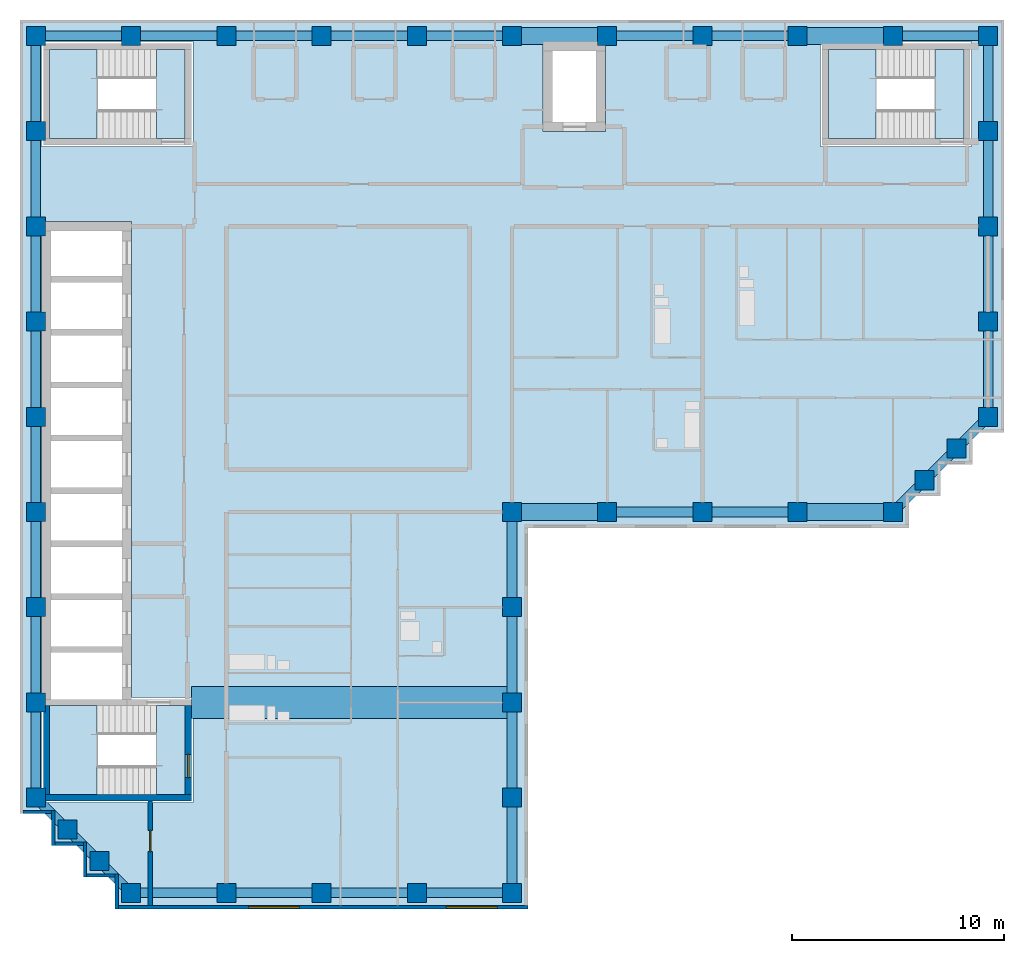
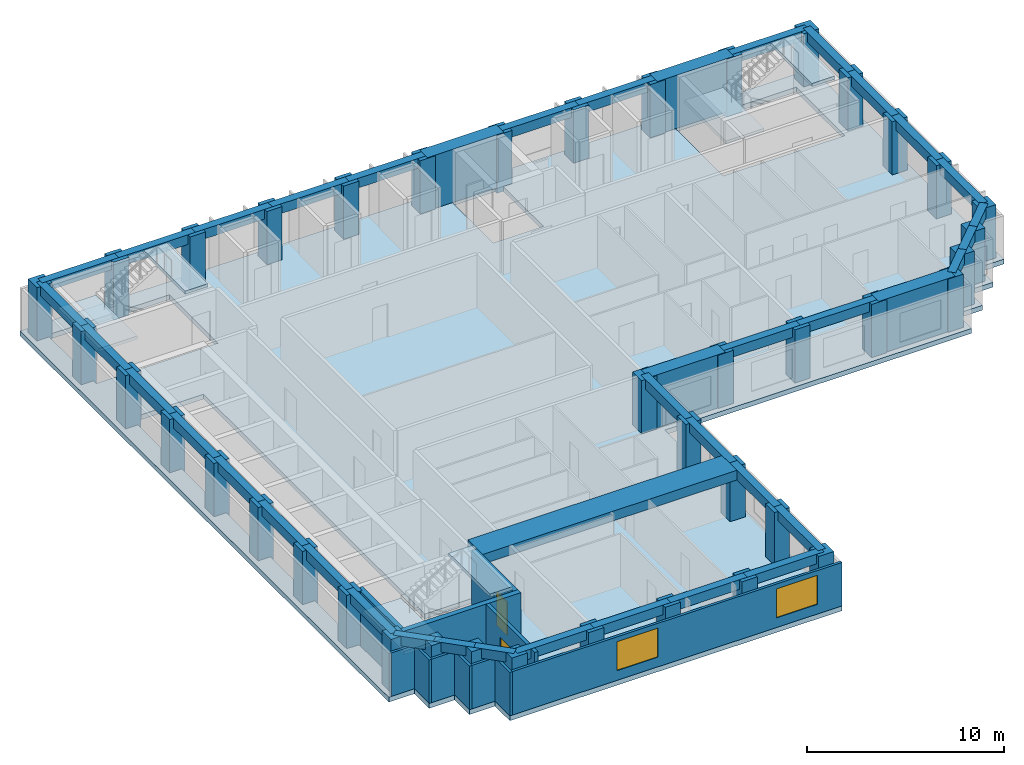
# One storey, part 1 of 8: 41 beams, 40 columns, 11 walls, 7 slabs, 2 doors, 2 windows, 4 openings, 3 elements without a shape of their own.
"""IFC4 building model written with IfcOpenShell, lengths in metres."""

from ifc_helpers import new_model, si_unit, direction, frame, frame_2d, origin, origin_2d, place, context, subcontext, project, spatial, polyline, rectangle, outline, extrude, material, layer, layer_set, material_profile, profile_set, type_object, element, fill, aggregate, save


model = new_model("IFC4")

# Units and contexts
model_context = context("Model", 3, precision=1e-05, world=origin(), true_north=direction((0.0, 1.0)))
body_context = subcontext(model_context, "Body", "Model", "MODEL_VIEW")
ifc_project = project(units=[si_unit("LENGTHUNIT", "METRE"), si_unit("AREAUNIT", "SQUARE_METRE"), si_unit("VOLUMEUNIT", "CUBIC_METRE"), si_unit("PLANEANGLEUNIT", "RADIAN"), si_unit("MASSUNIT", "GRAM", prefix="KILO")], contexts=[model_context])

# Site, building, storey
site_placement = place(None, origin())
site = spatial("IfcSite", under=ifc_project, at=site_placement, CompositionType="ELEMENT")
building_placement = place(site_placement, origin())
building = spatial("IfcBuilding", under=site, at=building_placement, Name="Firuza Court", CompositionType="ELEMENT")
storey_placement = place(building_placement, frame((0.0, 0.0, 236.60009765625)))
storey = spatial("IfcBuildingStorey", under=building, at=storey_placement, Name="L61", CompositionType="ELEMENT", Elevation=236.60009765625)

# Columns
ifc_material_1 = material(Name="Concrete C50/60", Category="concrete")
ifc_material_profile_1 = material_profile(ifc_material_1, rectangle(XDim=0.89990234375, YDim=0.89990234375, at=origin_2d()), Name="RC 900x900")
ifc_profile_set_1 = profile_set([ifc_material_profile_1], Name="Concrete C50/60")
column_type = type_object("IfcColumnType", Name="Tube column RC 900x900 C50/60", PredefinedType="COLUMN", material=ifc_profile_set_1)
for number, where, z_axis, x_axis, name in (
    (1, (4.5, 18.0, -0.300048828125), (0.0, 0.0, 1.0), (1.0, 0.0, 0.0), "Column C-2H L61"),
    (2, (9.0, 18.0, -0.300048828125), (0.0, 0.0, 1.0), (1.0, 0.0, 0.0), "Column C-3H L61"),
    (3, (13.5, 18.0, -0.300048828125), (0.0, 0.0, 1.0), (1.0, 0.0, 0.0), "Column C-4H L61"),
    (4, (18.0, 18.0, -0.300048828125), (0.0, 0.0, 1.0), (1.0, 0.0, 0.0), "Column C-5H L61"),
    (5, (22.5, 18.0, -0.300048828125), (0.0, 0.0, 1.0), (1.0, 0.0, 0.0), "Column C-6H L61"),
    (6, (3.0, 19.5, -0.300048828125), (0.0, 0.0, 1.0), (1.0, 0.0, 0.0), "Column C-SA1 L61"),
    (7, (1.5, 21.0, -0.300048828125), (0.0, 0.0, 1.0), (1.0, 0.0, 0.0), "Column C-SA2 L61"),
    (8, (0.0, 22.5, -0.300048828125), (0.0, 0.0, 1.0), (1.0, 0.0, 0.0), "Column C-1J L61"),
    (9, (22.5, 22.5, -0.300048828125), (0.0, 0.0, 1.0), (1.0, 0.0, 0.0), "Column C-6J L61"),
    (10, (0.0, 27.0, -0.300048828125), (0.0, 0.0, 1.0), (1.0, 0.0, 0.0), "Column C-1K L61"),
    (11, (22.5, 27.0, -0.300048828125), (0.0, 0.0, 1.0), (1.0, 0.0, 0.0), "Column C-6K L61"),
    (12, (0.0, 31.5, -0.300048828125), (0.0, 0.0, 1.0), (1.0, 0.0, 0.0), "Column C-1L L61"),
    (13, (22.5, 31.5, -0.300048828125), (0.0, 0.0, 1.0), (1.0, 0.0, 0.0), "Column C-6L L61"),
    (14, (0.0, 36.0, -0.300048828125), (0.0, 0.0, 1.0), (1.0, 0.0, 0.0), "Column C-1M L61"),
    (15, (22.5, 36.0, -0.300048828125), (0.0, 0.0, 1.0), (1.0, 0.0, 0.0), "Column C-6M L61"),
    (16, (27.0, 36.0, -0.300048828125), (0.0, 0.0, 1.0), (1.0, 0.0, 0.0), "Column C-7M L61"),
    (17, (31.5, 36.0, -0.300048828125), (0.0, 0.0, 1.0), (1.0, 0.0, 0.0), "Column C-8M L61"),
    (18, (36.0, 36.0, -0.300048828125), (0.0, 0.0, 1.0), (1.0, 0.0, 0.0), "Column C-9M L61"),
    (19, (40.5, 36.0, -0.300048828125), (0.0, 0.0, 1.0), (1.0, 0.0, 0.0), "Column C-10M L61"),
    (20, (42.0, 37.5, -0.300048828125), (0.0, 0.0, 1.0), (1.0, 0.0, 0.0), "Column C-SA3 L61"),
    (21, (43.5, 39.0, -0.300048828125), (0.0, 0.0, 1.0), (1.0, 0.0, 0.0), "Column C-SA4 L61"),
    (22, (0.0, 40.5, -0.300048828125), (0.0, 0.0, 1.0), (1.0, 0.0, 0.0), "Column C-1N L61"),
    (23, (45.0, 40.5, -0.300048828125), (0.0, 0.0, 1.0), (1.0, 0.0, 0.0), "Column C-11N L61"),
    (24, (0.0, 45.0, -0.300048828125), (0.0, 0.0, 1.0), (1.0, 0.0, 0.0), "Column C-1P L61"),
    (25, (45.0, 45.0, -0.300048828125), (0.0, 0.0, 1.0), (1.0, 0.0, 0.0), "Column C-11P L61"),
    (26, (0.0, 49.5, -0.300048828125), (0.0, 0.0, 1.0), (1.0, 0.0, 0.0), "Column C-1Q L61"),
    (27, (45.0, 49.5, -0.300048828125), (0.0, 0.0, 1.0), (1.0, 0.0, 0.0), "Column C-11Q L61"),
    (28, (0.0, 54.0, -0.300048828125), (0.0, 0.0, 1.0), (1.0, 0.0, 0.0), "Column C-1R L61"),
    (29, (45.0, 54.0, -0.300048828125), (0.0, 0.0, 1.0), (1.0, 0.0, 0.0), "Column C-11R L61"),
    (30, (0.0, 58.5, -0.300048828125), (0.0, 0.0, 1.0), (1.0, 0.0, 0.0), "Column C-1S L61"),
    (31, (4.5, 58.5, -0.300048828125), (0.0, 0.0, 1.0), (1.0, 0.0, 0.0), "Column C-2S L61"),
    (32, (9.0, 58.5, -0.300048828125), (0.0, 0.0, 1.0), (1.0, 0.0, 0.0), "Column C-3S L61"),
    (33, (13.5, 58.5, -0.300048828125), (0.0, 0.0, 1.0), (1.0, 0.0, 0.0), "Column C-4S L61"),
    (34, (18.0, 58.5, -0.300048828125), (0.0, 0.0, 1.0), (1.0, 0.0, 0.0), "Column C-5S L61"),
    (35, (22.5, 58.5, -0.300048828125), (0.0, 0.0, 1.0), (1.0, 0.0, 0.0), "Column C-6S L61"),
    (36, (27.0, 58.5, -0.300048828125), (0.0, 0.0, 1.0), (1.0, 0.0, 0.0), "Column C-7S L61"),
    (37, (31.5, 58.5, -0.300048828125), (0.0, 0.0, 1.0), (1.0, 0.0, 0.0), "Column C-8S L61"),
    (38, (36.0, 58.5, -0.300048828125), (0.0, 0.0, 1.0), (1.0, 0.0, 0.0), "Column C-9S L61"),
    (39, (40.5, 58.5, -0.300048828125), (0.0, 0.0, 1.0), (1.0, 0.0, 0.0), "Column C-10S L61"),
    (40, (45.0, 58.5, -0.300048828125), (0.0, 0.0, 1.0), (1.0, 0.0, 0.0), "Column C-11S L61"),
):
    element("IfcColumn", number, at=place(storey_placement, frame(where, z_axis=z_axis, x_axis=x_axis)), inside=storey, type_object=column_type, Name=name, PredefinedType="COLUMN", context=body_context, shape_type="SweptSolid", body=[
        extrude(rectangle(XDim=0.89990234375, YDim=0.89990234375, at=origin_2d()), origin(), (0.0, 0.0, 1.0), 3.599853515625),
    ])

# Beams
ifc_material_2 = material(Name="Concrete C40/50", Category="concrete")
ifc_material_profile_2 = material_profile(ifc_material_2, rectangle(XDim=1.5, YDim=0.60009765625, at=origin_2d()), Name="RC 1500x600")
ifc_profile_set_2 = profile_set([ifc_material_profile_2], Name="Concrete C40/50")
beam_type_1 = type_object("IfcBeamType", Name="Band beam RC 1500x600 C40/50", PredefinedType="BEAM", material=ifc_profile_set_2)
beam_1_placement = place(storey_placement, frame((22.5, 27.0, 3.0), z_axis=(-1.0, 0.0, 0.0), x_axis=(0.0, -1.0, 0.0)))
element("IfcBeam", 41, at=beam_1_placement, inside=storey, type_object=beam_type_1, Name="Band beam FB3 level L62", PredefinedType="BEAM", context=body_context, shape_type="SweptSolid", body=[
    extrude(rectangle(XDim=1.5, YDim=0.60009765625, at=origin_2d()), origin(), (0.0, 0.0, 1.0), 15.14990234375),
])
ifc_material_3 = material(Name="Concrete C40/50", Category="concrete")
ifc_material_profile_3 = material_profile(ifc_material_3, rectangle(XDim=0.449951171875, YDim=0.60009765625, at=origin_2d()), Name="RC 450x600")
ifc_profile_set_3 = profile_set([ifc_material_profile_3], Name="Concrete C40/50")
beam_type_2 = type_object("IfcBeamType", Name="Spandrel beam RC 450x600 C40/50", PredefinedType="BEAM", material=ifc_profile_set_3)
beam_2_placement = place(storey_placement, frame((0.0, 22.5, 3.0), z_axis=(0.707106781187, -0.707106781187, 0.0), x_axis=(0.707106781187, 0.707106781187, 0.0)))
element("IfcBeam", 42, at=beam_2_placement, inside=storey, type_object=beam_type_2, Name="Spandrel beam SP15 level L62", PredefinedType="BEAM", context=body_context, shape_type="SweptSolid", body=[
    extrude(rectangle(XDim=0.449951171875, YDim=0.60009765625, at=origin_2d()), origin(), (0.0, 0.0, 1.0), 2.121337890625),
])
for number, where, z_axis, x_axis, name in (
    (43, (0.0, 27.0, 3.0), (0.0, -1.0, 0.0), (1.0, 0.0, 0.0), "Spandrel beam SP15 level L62"),
    (44, (0.0, 31.5, 3.0), (0.0, -1.0, 0.0), (1.0, 0.0, 0.0), "Spandrel beam SP15 level L62"),
    (45, (0.0, 36.0, 3.0), (0.0, -1.0, 0.0), (1.0, 0.0, 0.0), "Spandrel beam SP15 level L62"),
    (46, (0.0, 40.5, 3.0), (0.0, -1.0, 0.0), (1.0, 0.0, 0.0), "Spandrel beam SP15 level L62"),
    (47, (0.0, 45.0, 3.0), (0.0, -1.0, 0.0), (1.0, 0.0, 0.0), "Spandrel beam SP15 level L62"),
    (48, (0.0, 49.5, 3.0), (0.0, -1.0, 0.0), (1.0, 0.0, 0.0), "Spandrel beam SP15 level L62"),
    (49, (0.0, 54.0, 3.0), (0.0, -1.0, 0.0), (1.0, 0.0, 0.0), "Spandrel beam SP15 level L62"),
    (50, (0.0, 58.5, 3.0), (0.0, -1.0, 0.0), (1.0, 0.0, 0.0), "Spandrel beam SP15 level L62"),
):
    element("IfcBeam", number, at=place(storey_placement, frame(where, z_axis=z_axis, x_axis=x_axis)), inside=storey, type_object=beam_type_2, Name=name, PredefinedType="BEAM", context=body_context, shape_type="SweptSolid", body=[
        extrude(rectangle(XDim=0.449951171875, YDim=0.60009765625, at=origin_2d()), origin(), (0.0, 0.0, 1.0), 4.5),
    ])
for number, where, z_axis, x_axis, name in (
    (51, (1.5, 21.0, 3.0), (0.707106781187, -0.707106781187, 0.0), (0.707106781187, 0.707106781187, 0.0), "Spandrel beam SP15 level L62"),
    (52, (3.0, 19.5, 3.0), (0.707106781187, -0.707106781187, 0.0), (0.707106781187, 0.707106781187, 0.0), "Spandrel beam SP15 level L62"),
):
    element("IfcBeam", number, at=place(storey_placement, frame(where, z_axis=z_axis, x_axis=x_axis)), inside=storey, type_object=beam_type_2, Name=name, PredefinedType="BEAM", context=body_context, shape_type="SweptSolid", body=[
        extrude(rectangle(XDim=0.449951171875, YDim=0.60009765625, at=origin_2d()), origin(), (0.0, 0.0, 1.0), 2.121337890625),
    ])
for number, where, z_axis, x_axis, name in (
    (53, (4.5, 18.0, 3.0), (1.0, 0.0, 0.0), (0.0, 1.0, 0.0), "Spandrel beam SP15 level L62"),
    (54, (4.5, 58.5, 3.0), (-1.0, 0.0, 0.0), (0.0, -1.0, 0.0), "Spandrel beam SP15 level L62"),
    (55, (9.0, 18.0, 3.0), (1.0, 0.0, 0.0), (0.0, 1.0, 0.0), "Spandrel beam SP15 level L62"),
    (56, (9.0, 58.5, 3.0), (-1.0, 0.0, 0.0), (0.0, -1.0, 0.0), "Spandrel beam SP15 level L62"),
    (57, (13.5, 18.0, 3.0), (1.0, 0.0, 0.0), (0.0, 1.0, 0.0), "Spandrel beam SP15 level L62"),
    (58, (13.5, 58.5, 3.0), (-1.0, 0.0, 0.0), (0.0, -1.0, 0.0), "Spandrel beam SP15 level L62"),
    (59, (18.0, 18.0, 3.0), (1.0, 0.0, 0.0), (0.0, 1.0, 0.0), "Spandrel beam SP15 level L62"),
    (60, (18.0, 58.5, 3.0), (-1.0, 0.0, 0.0), (0.0, -1.0, 0.0), "Spandrel beam SP15 level L62"),
    (61, (22.5, 18.0, 3.0), (0.0, 1.0, 0.0), (-1.0, 0.0, 0.0), "Spandrel beam SP15 level L62"),
    (62, (22.5, 22.5, 3.0), (0.0, 1.0, 0.0), (-1.0, 0.0, 0.0), "Spandrel beam SP15 level L62"),
    (63, (22.5, 27.0, 3.0), (0.0, 1.0, 0.0), (-1.0, 0.0, 0.0), "Spandrel beam SP15 level L62"),
    (64, (22.5, 31.5, 3.0), (0.0, 1.0, 0.0), (-1.0, 0.0, 0.0), "Spandrel beam SP15 level L62"),
    (65, (22.5, 58.5, 3.0), (-1.0, 0.0, 0.0), (0.0, -1.0, 0.0), "Spandrel beam SP15 level L62"),
    (66, (27.0, 36.0, 3.0), (1.0, 0.0, 0.0), (0.0, 1.0, 0.0), "Spandrel beam SP15 level L62"),
    (67, (31.5, 36.0, 3.0), (1.0, 0.0, 0.0), (0.0, 1.0, 0.0), "Spandrel beam SP15 level L62"),
    (68, (31.5, 58.5, 3.0), (-1.0, 0.0, 0.0), (0.0, -1.0, 0.0), "Spandrel beam SP15 level L62"),
    (69, (36.0, 58.5, 3.0), (-1.0, 0.0, 0.0), (0.0, -1.0, 0.0), "Spandrel beam SP15 level L62"),
):
    element("IfcBeam", number, at=place(storey_placement, frame(where, z_axis=z_axis, x_axis=x_axis)), inside=storey, type_object=beam_type_2, Name=name, PredefinedType="BEAM", context=body_context, shape_type="SweptSolid", body=[
        extrude(rectangle(XDim=0.449951171875, YDim=0.60009765625, at=origin_2d()), origin(), (0.0, 0.0, 1.0), 4.5),
    ])
for number, where, z_axis, x_axis, name in (
    (70, (40.5, 36.0, 3.0), (0.707106781187, 0.707106781187, 0.0), (-0.707106781187, 0.707106781187, 0.0), "Spandrel beam SP15 level L62"),
    (71, (42.0, 37.5, 3.0), (0.707106781187, 0.707106781187, 0.0), (-0.707106781187, 0.707106781187, 0.0), "Spandrel beam SP15 level L62"),
    (72, (43.5, 39.0, 3.0), (0.707106781187, 0.707106781187, 0.0), (-0.707106781187, 0.707106781187, 0.0), "Spandrel beam SP15 level L62"),
):
    element("IfcBeam", number, at=place(storey_placement, frame(where, z_axis=z_axis, x_axis=x_axis)), inside=storey, type_object=beam_type_2, Name=name, PredefinedType="BEAM", context=body_context, shape_type="SweptSolid", body=[
        extrude(rectangle(XDim=0.449951171875, YDim=0.60009765625, at=origin_2d()), origin(), (0.0, 0.0, 1.0), 2.121337890625),
    ])
for number, where, z_axis, x_axis, name in (
    (73, (45.0, 40.5, 3.0), (0.0, 1.0, 0.0), (-1.0, 0.0, 0.0), "Spandrel beam SP15 level L62"),
    (74, (45.0, 45.0, 3.0), (0.0, 1.0, 0.0), (-1.0, 0.0, 0.0), "Spandrel beam SP15 level L62"),
    (75, (45.0, 49.5, 3.0), (0.0, 1.0, 0.0), (-1.0, 0.0, 0.0), "Spandrel beam SP15 level L62"),
    (76, (45.0, 54.0, 3.0), (0.0, 1.0, 0.0), (-1.0, 0.0, 0.0), "Spandrel beam SP15 level L62"),
    (77, (45.0, 58.5, 3.0), (-1.0, 0.0, 0.0), (0.0, -1.0, 0.0), "Spandrel beam SP15 level L62"),
):
    element("IfcBeam", number, at=place(storey_placement, frame(where, z_axis=z_axis, x_axis=x_axis)), inside=storey, type_object=beam_type_2, Name=name, PredefinedType="BEAM", context=body_context, shape_type="SweptSolid", body=[
        extrude(rectangle(XDim=0.449951171875, YDim=0.60009765625, at=origin_2d()), origin(), (0.0, 0.0, 1.0), 4.5),
    ])
ifc_material_4 = material(Name="Concrete C60/75", Category="concrete")
ifc_material_profile_4 = material_profile(ifc_material_4, rectangle(XDim=0.800048828125, YDim=3.300048828125, at=origin_2d()), Name="RC 800x3300")
ifc_profile_set_4 = profile_set([ifc_material_profile_4], Name="Concrete C60/75")
beam_type_3 = type_object("IfcBeamType", Name="Transfer girder RC 800x3300 C60/75", PredefinedType="USERDEFINED", material=ifc_profile_set_4)
for number, where, z_axis, x_axis, name in (
    (78, (22.5, 36.0, 1.64990234375), (1.0, 0.0, 0.0), (0.0, 1.0, 0.0), "Transfer girder TG6 level L62"),
    (79, (27.0, 58.5, 1.64990234375), (-1.0, 0.0, 0.0), (0.0, -1.0, 0.0), "Transfer girder TG6 level L62"),
    (80, (36.0, 36.0, 1.64990234375), (1.0, 0.0, 0.0), (0.0, 1.0, 0.0), "Transfer girder TG6 level L62"),
    (81, (40.5, 58.5, 1.64990234375), (-1.0, 0.0, 0.0), (0.0, -1.0, 0.0), "Transfer girder TG6 level L62"),
):
    element("IfcBeam", number, at=place(storey_placement, frame(where, z_axis=z_axis, x_axis=x_axis)), inside=storey, type_object=beam_type_3, Name=name, ObjectType="TRANSFER GIRDER", PredefinedType="USERDEFINED", context=body_context, shape_type="SweptSolid", body=[
        extrude(rectangle(XDim=0.800048828125, YDim=3.300048828125, at=origin_2d()), origin(), (0.0, 0.0, 1.0), 4.5),
    ])

# Slab
ifc_material_5 = material(Name="Concrete C40/50", Category="concrete")
ifc_layer_1 = layer(ifc_material_5, 0.300048828125)
ifc_layer_set_1 = layer_set([ifc_layer_1], Name="Concrete C40/50")
slab_type_1 = type_object("IfcSlabType", Name="Floor slab 300 C40/50", PredefinedType="FLOOR", material=ifc_layer_set_1)
slab_1_placement = place(storey_placement, frame((0.0, 0.0, -0.300048828125)))
element("IfcSlab", 82, at=slab_1_placement, inside=storey, type_object=slab_type_1, Name="Floor slab L61", PredefinedType="FLOOR", context=body_context, shape_type="SweptSolid", body=[
    extrude(outline(polyline([(-0.75, 59.25), (45.75, 59.25), (45.75, 39.75), (44.25, 39.75), (44.25, 38.25), (42.75, 38.25), (42.75, 36.75), (41.25, 36.75), (41.25, 35.25), (23.25, 35.25), (23.25, 17.25), (3.75, 17.25), (3.75, 18.75), (2.25, 18.75), (2.25, 20.25), (0.75, 20.25), (0.75, 21.75), (-0.75, 21.75), (-0.75, 59.25)]), holes=[polyline([(0.27490234375, 34.27490234375), (0.27490234375, 32.22509765625), (0.27490234375, 31.77490234375), (0.27490234375, 29.72509765625), (0.27490234375, 29.27490234375), (0.27490234375, 27.22509765625), (0.27490234375, 26.77490234375), (0.27490234375, 22.27490234375), (7.425048828125, 22.27490234375), (7.425048828125, 27.22509765625), (4.52490234375, 27.22509765625), (4.52490234375, 29.27490234375), (4.52490234375, 29.72509765625), (4.52490234375, 31.77490234375), (4.52490234375, 32.22509765625), (4.52490234375, 34.27490234375), (4.52490234375, 34.72509765625), (4.52490234375, 36.77490234375), (4.52490234375, 37.22509765625), (4.52490234375, 39.27490234375), (4.52490234375, 39.72509765625), (4.52490234375, 41.77490234375), (4.52490234375, 42.22509765625), (4.52490234375, 44.27490234375), (4.52490234375, 44.72509765625), (4.52490234375, 46.77490234375), (4.52490234375, 47.22509765625), (4.52490234375, 49.72509765625), (0.27490234375, 49.72509765625), (0.27490234375, 47.22509765625), (0.27490234375, 46.77490234375), (0.27490234375, 44.72509765625), (0.27490234375, 44.27490234375), (0.27490234375, 42.22509765625), (0.27490234375, 41.77490234375), (0.27490234375, 39.72509765625), (0.27490234375, 39.27490234375), (0.27490234375, 37.22509765625), (0.27490234375, 36.77490234375), (0.27490234375, 34.72509765625), (0.27490234375, 34.27490234375)]), polyline([(7.425048828125, 58.22509765625), (0.27490234375, 58.22509765625), (0.27490234375, 53.27490234375), (7.425048828125, 53.27490234375), (7.425048828125, 58.22509765625)]), polyline([(44.22509765625, 58.22509765625), (37.074951171875, 58.22509765625), (37.074951171875, 53.27490234375), (44.22509765625, 53.27490234375), (44.22509765625, 58.22509765625)]), polyline([(26.925048828125, 58.22509765625), (23.97509765625, 58.22509765625), (23.97509765625, 53.97509765625), (26.925048828125, 53.97509765625), (26.925048828125, 58.22509765625)])]), origin(), (0.0, 0.0, 1.0), 0.300048828125),
])

# Stair, slabs
ifc_material_6 = material(Name="Concrete C40/50 precast", Category="concrete")
stair_type = type_object("IfcStairType", Name="Stair 1350 x 3600 2 flights", PredefinedType="HALF_TURN_STAIR", material=ifc_material_6)
stair_1_placement = place(storey_placement, origin())
stair_1 = element("IfcStair", 83, at=stair_1_placement, inside=storey, type_object=stair_type, Name="Stair 1 L61", PredefinedType="HALF_TURN_STAIR")
ifc_material_7 = material(Name="Concrete C40/50 precast", Category="concrete")
ifc_layer_2 = layer(ifc_material_7, 0.199951171875)
ifc_layer_set_2 = layer_set([ifc_layer_2], Name="Concrete C40/50 precast")
slab_type_2 = type_object("IfcSlabType", Name="Stair landing 200", PredefinedType="LANDING", material=ifc_layer_set_2)
slab_2_placement = place(storey_placement, frame((0.0, 0.0, 1.599853515625)))
slab_2 = element("IfcSlab", 84, at=slab_2_placement, type_object=slab_type_2, Name="S1 landing 1", PredefinedType="LANDING", context=body_context, shape_type="SweptSolid", body=[
    extrude(outline(polyline([(39.699951171875, 53.64990234375), (39.699951171875, 57.85009765625), (37.449951171875, 57.85009765625), (37.449951171875, 53.64990234375), (39.699951171875, 53.64990234375)])), origin(), (0.0, 0.0, 1.0), 0.199951171875),
])
slab_3_placement = place(storey_placement, frame((0.0, 0.0, 3.39990234375)))
slab_3 = element("IfcSlab", 85, at=slab_3_placement, type_object=slab_type_2, Name="S1 landing 2", PredefinedType="LANDING", context=body_context, shape_type="SweptSolid", body=[
    extrude(outline(polyline([(43.85009765625, 53.64990234375), (43.85009765625, 57.85009765625), (42.5, 57.85009765625), (42.5, 53.64990234375), (43.85009765625, 53.64990234375)])), origin(), (0.0, 0.0, 1.0), 0.199951171875),
])
aggregate(stair_1, [slab_2, slab_3])

stair_2_placement = place(storey_placement, origin())
stair_2 = element("IfcStair", 86, at=stair_2_placement, inside=storey, type_object=stair_type, Name="Stair 2 L61", PredefinedType="HALF_TURN_STAIR")
slab_4_placement = place(storey_placement, frame((0.0, 0.0, 1.599853515625)))
slab_4 = element("IfcSlab", 87, at=slab_4_placement, type_object=slab_type_2, Name="S2 landing 1", PredefinedType="LANDING", context=body_context, shape_type="SweptSolid", body=[
    extrude(outline(polyline([(2.89990234375, 22.64990234375), (2.89990234375, 26.85009765625), (0.64990234375, 26.85009765625), (0.64990234375, 22.64990234375), (2.89990234375, 22.64990234375)])), origin(), (0.0, 0.0, 1.0), 0.199951171875),
])
slab_5_placement = place(storey_placement, frame((0.0, 0.0, 3.39990234375)))
slab_5 = element("IfcSlab", 88, at=slab_5_placement, type_object=slab_type_2, Name="S2 landing 2", PredefinedType="LANDING", context=body_context, shape_type="SweptSolid", body=[
    extrude(outline(polyline([(7.050048828125, 22.64990234375), (7.050048828125, 26.85009765625), (5.699951171875, 26.85009765625), (5.699951171875, 22.64990234375), (7.050048828125, 22.64990234375)])), origin(), (0.0, 0.0, 1.0), 0.199951171875),
])
aggregate(stair_2, [slab_4, slab_5])

stair_3_placement = place(storey_placement, origin())
stair_3 = element("IfcStair", 89, at=stair_3_placement, inside=storey, type_object=stair_type, Name="Stair 3 L61", PredefinedType="HALF_TURN_STAIR")
slab_6_placement = place(storey_placement, frame((0.0, 0.0, 1.599853515625)))
slab_6 = element("IfcSlab", 90, at=slab_6_placement, type_object=slab_type_2, Name="S3 landing 1", PredefinedType="LANDING", context=body_context, shape_type="SweptSolid", body=[
    extrude(outline(polyline([(2.89990234375, 53.64990234375), (2.89990234375, 57.85009765625), (0.64990234375, 57.85009765625), (0.64990234375, 53.64990234375), (2.89990234375, 53.64990234375)])), origin(), (0.0, 0.0, 1.0), 0.199951171875),
])
slab_7_placement = place(storey_placement, frame((0.0, 0.0, 3.39990234375)))
slab_7 = element("IfcSlab", 91, at=slab_7_placement, type_object=slab_type_2, Name="S3 landing 2", PredefinedType="LANDING", context=body_context, shape_type="SweptSolid", body=[
    extrude(outline(polyline([(7.050048828125, 53.64990234375), (7.050048828125, 57.85009765625), (5.699951171875, 57.85009765625), (5.699951171875, 53.64990234375), (7.050048828125, 53.64990234375)])), origin(), (0.0, 0.0, 1.0), 0.199951171875),
])
aggregate(stair_3, [slab_6, slab_7])

# Walls
ifc_material_8 = material(Name="Concrete C50/60", Category="concrete")
ifc_layer_3 = layer(ifc_material_8, 0.300048828125)
ifc_layer_set_3 = layer_set([ifc_layer_3], Name="Concrete C50/60")
wall_type_1 = type_object("IfcWallType", Name="Core wall 300 C50/60", PredefinedType="SHEAR", material=ifc_layer_set_3)
wall_1_placement = place(storey_placement, frame((0.35009765625, 22.5, -0.300048828125), z_axis=(0.0, 0.0, 1.0), x_axis=(1.0, 0.0, 0.0)))
element("IfcWall", 92, at=wall_1_placement, inside=storey, type_object=wall_type_1, Name="Core wall stair L61", PredefinedType="SHEAR", context=body_context, shape_type="SweptSolid", body=[
    extrude(rectangle(XDim=7.0, YDim=0.300048828125, at=frame_2d((3.5, 0.0))), origin(), (0.0, 0.0, 1.0), 3.599853515625),
])
wall_2_placement = place(storey_placement, frame((0.5, 22.64990234375, -0.300048828125), z_axis=(0.0, 0.0, 1.0), x_axis=(0.0, 1.0, 0.0)))
element("IfcWall", 93, at=wall_2_placement, inside=storey, type_object=wall_type_1, Name="Core wall stair L61", PredefinedType="SHEAR", context=body_context, shape_type="SweptSolid", body=[
    extrude(rectangle(XDim=4.2001953125, YDim=0.300048828125, at=frame_2d((2.10009765625, 0.0))), origin(), (0.0, 0.0, 1.0), 3.599853515625),
])

# Wall, opening, door
wall_3_placement = place(storey_placement, frame((7.199951171875, 22.64990234375, -0.300048828125), z_axis=(0.0, 0.0, 1.0), x_axis=(0.0, 1.0, 0.0)))
wall_3 = element("IfcWall", 94, at=wall_3_placement, inside=storey, type_object=wall_type_1, Name="Core wall stair L61", PredefinedType="SHEAR", context=body_context, shape_type="SweptSolid", body=[
    extrude(rectangle(XDim=4.2001953125, YDim=0.300048828125, at=frame_2d((2.10009765625, 0.0))), origin(), (0.0, 0.0, 1.0), 3.599853515625),
])
opening_1_placement = place(wall_3_placement, frame((0.800048828125, 0.0, 0.300048828125)))
opening_1 = element("IfcOpeningElement", 95, at=opening_1_placement, cuts=wall_3, Name="Opening D61010", PredefinedType="OPENING", context=body_context, shape_type="SweptSolid", body=[
    extrude(rectangle(XDim=1.10009765625, YDim=2.10009765625, at=frame_2d((0.550048828125, 1.050048828125))), frame((0.0, 0.162109375, 0.0), z_axis=(0.0, -1.0, 0.0), x_axis=(1.0, 0.0, 0.0)), (0.0, 0.0, 1.0), 0.323974609375),
])
ifc_material_9 = material(Name="Timber door leaf in hardwood frame", Category="wood")
door_type_1 = type_object("IfcDoorType", Name="Stair door 1100", OperationType="SINGLE_SWING_LEFT", PredefinedType="DOOR", material=ifc_material_9)
door_1_placement = place(opening_1_placement, origin())
door_1 = element("IfcDoor", 96, at=door_1_placement, inside=storey, type_object=door_type_1, Name="Stair door S2", OperationType="SINGLE_SWING_LEFT", OverallHeight=2.10009765625, OverallWidth=1.10009765625, PredefinedType="DOOR", context=body_context, shape_type="SweptSolid", body=[
    extrude(rectangle(XDim=1.10009765625, YDim=2.10009765625, at=frame_2d((0.550048828125, 1.050048828125))), frame((0.0, 0.02490234375, 0.0), z_axis=(0.0, -1.0, 0.0), x_axis=(1.0, 0.0, 0.0)), (0.0, 0.0, 1.0), 0.050048828125),
])
fill(opening_1, door_1)

ifc_material_10 = material(Name="Blockwork, plastered both sides", Category="masonry")
ifc_layer_4 = layer(ifc_material_10, 0.199951171875)
ifc_layer_set_4 = layer_set([ifc_layer_4], Name="Blockwork, plastered both sides")
wall_type_2 = type_object("IfcWallType", Name="Corridor wall 200", PredefinedType="PARTITIONING", material=ifc_layer_set_4)
wall_4_placement = place(storey_placement, frame((5.39990234375, 17.39990234375, 0.0), z_axis=(0.0, 0.0, 1.0), x_axis=(0.0, 1.0, 0.0)))
wall_4 = element("IfcWall", 97, at=wall_4_placement, inside=storey, type_object=wall_type_2, Name="Corridor wall 200 L61", PredefinedType="PARTITIONING", context=body_context, shape_type="SweptSolid", body=[
    extrude(rectangle(XDim=4.9501953125, YDim=0.199951171875, at=frame_2d((2.47509765625, 0.0))), origin(), (0.0, 0.0, 1.0), 3.2998046875),
])
opening_2_placement = place(wall_4_placement, frame((2.550048828125, 0.0, 0.0)))
opening_2 = element("IfcOpeningElement", 98, at=opening_2_placement, cuts=wall_4, Name="Opening D61012", PredefinedType="OPENING", context=body_context, shape_type="SweptSolid", body=[
    extrude(rectangle(XDim=1.0, YDim=2.10009765625, at=frame_2d((0.5, 1.050048828125))), frame((0.0, 0.11181640625, 0.0), z_axis=(0.0, -1.0, 0.0), x_axis=(1.0, 0.0, 0.0)), (0.0, 0.0, 1.0), 0.223876953125),
])
ifc_material_11 = material(Name="Timber door leaf in hardwood frame", Category="wood")
door_type_2 = type_object("IfcDoorType", Name="Store door 1000", OperationType="SINGLE_SWING_LEFT", PredefinedType="DOOR", material=ifc_material_11)
door_2_placement = place(opening_2_placement, origin())
door_2 = element("IfcDoor", 99, at=door_2_placement, inside=storey, type_object=door_type_2, Name="Electrical room door", OperationType="SINGLE_SWING_RIGHT", OverallHeight=2.10009765625, OverallWidth=1.0, PredefinedType="DOOR", context=body_context, shape_type="SweptSolid", body=[
    extrude(rectangle(XDim=1.0, YDim=2.10009765625, at=frame_2d((0.5, 1.050048828125))), frame((0.0, 0.02490234375, 0.0), z_axis=(0.0, -1.0, 0.0), x_axis=(1.0, 0.0, 0.0)), (0.0, 0.0, 1.0), 0.050048828125),
])
fill(opening_2, door_2)

# Walls
ifc_material_12 = material(Name="Ceramic tile", Category="ceramic")
ifc_layer_5 = layer(ifc_material_12, 0.02001953125)
ifc_material_13 = material(Name="Mineral wool insulation", Category="insulation")
ifc_layer_6 = layer(ifc_material_13, 0.050048828125)
ifc_layer_7 = layer(ifc_material_7, 0.080078125)
ifc_layer_set_5 = layer_set([ifc_layer_5, ifc_layer_6, ifc_layer_7], Name="Concrete C40/50 precast")
wall_type_3 = type_object("IfcWallType", Name="Precast cladding wall with turquoise TILE PANEL face 150", PredefinedType="STANDARD", material=ifc_layer_set_5)
wall_5_placement = place(storey_placement, frame((-0.60009765625, 21.824951171875, 0.0), z_axis=(0.0, 0.0, 1.0), x_axis=(1.0, 0.0, 0.0)))
element("IfcWall", 100, at=wall_5_placement, inside=storey, type_object=wall_type_3, Name="Facade wall L61 S", PredefinedType="STANDARD", context=body_context, shape_type="SweptSolid", body=[
    extrude(rectangle(XDim=1.35009765625, YDim=0.14990234375, at=frame_2d((0.675048828125, 0.0))), origin(), (0.0, 0.0, 1.0), 2.699951171875),
])
wall_6_placement = place(storey_placement, frame((0.824951171875, 21.89990234375, 0.0), z_axis=(0.0, 0.0, 1.0), x_axis=(0.0, -1.0, 0.0)))
element("IfcWall", 101, at=wall_6_placement, inside=storey, type_object=wall_type_3, Name="Facade wall L61 W", PredefinedType="STANDARD", context=body_context, shape_type="SweptSolid", body=[
    extrude(rectangle(XDim=1.64990234375, YDim=0.14990234375, at=frame_2d((0.824951171875, 0.0))), origin(), (0.0, 0.0, 1.0), 2.699951171875),
])
wall_7_placement = place(storey_placement, frame((0.89990234375, 20.324951171875, 0.0), z_axis=(0.0, 0.0, 1.0), x_axis=(1.0, 0.0, 0.0)))
element("IfcWall", 102, at=wall_7_placement, inside=storey, type_object=wall_type_3, Name="Facade wall L61 S", PredefinedType="STANDARD", context=body_context, shape_type="SweptSolid", body=[
    extrude(rectangle(XDim=1.35009765625, YDim=0.14990234375, at=frame_2d((0.675048828125, 0.0))), origin(), (0.0, 0.0, 1.0), 2.699951171875),
])
wall_8_placement = place(storey_placement, frame((2.324951171875, 20.39990234375, 0.0), z_axis=(0.0, 0.0, 1.0), x_axis=(0.0, -1.0, 0.0)))
element("IfcWall", 103, at=wall_8_placement, inside=storey, type_object=wall_type_3, Name="Facade wall L61 W", PredefinedType="STANDARD", context=body_context, shape_type="SweptSolid", body=[
    extrude(rectangle(XDim=1.64990234375, YDim=0.14990234375, at=frame_2d((0.824951171875, 0.0))), origin(), (0.0, 0.0, 1.0), 2.699951171875),
])
wall_9_placement = place(storey_placement, frame((2.39990234375, 18.824951171875, 0.0), z_axis=(0.0, 0.0, 1.0), x_axis=(1.0, 0.0, 0.0)))
element("IfcWall", 104, at=wall_9_placement, inside=storey, type_object=wall_type_3, Name="Facade wall L61 S", PredefinedType="STANDARD", context=body_context, shape_type="SweptSolid", body=[
    extrude(rectangle(XDim=1.35009765625, YDim=0.14990234375, at=frame_2d((0.675048828125, 0.0))), origin(), (0.0, 0.0, 1.0), 2.699951171875),
])
wall_10_placement = place(storey_placement, frame((3.824951171875, 18.89990234375, 0.0), z_axis=(0.0, 0.0, 1.0), x_axis=(0.0, -1.0, 0.0)))
element("IfcWall", 105, at=wall_10_placement, inside=storey, type_object=wall_type_3, Name="Facade wall L61 W", PredefinedType="STANDARD", context=body_context, shape_type="SweptSolid", body=[
    extrude(rectangle(XDim=1.64990234375, YDim=0.14990234375, at=frame_2d((0.824951171875, 0.0))), origin(), (0.0, 0.0, 1.0), 2.699951171875),
])

# Wall, openings, windows
wall_11_placement = place(storey_placement, frame((3.89990234375, 17.324951171875, 0.0), z_axis=(0.0, 0.0, 1.0), x_axis=(1.0, 0.0, 0.0)))
wall_11 = element("IfcWall", 106, at=wall_11_placement, inside=storey, type_object=wall_type_3, Name="Facade wall L61 S", PredefinedType="STANDARD", context=body_context, shape_type="SweptSolid", body=[
    extrude(rectangle(XDim=19.35009765625, YDim=0.14990234375, at=frame_2d((9.675048828125, 0.0))), origin(), (0.0, 0.0, 1.0), 2.699951171875),
])
opening_3_placement = place(wall_11_placement, frame((6.14990234375, 0.0, 0.60009765625)))
opening_3 = element("IfcOpeningElement", 107, at=opening_3_placement, cuts=wall_11, Name="Opening W1", PredefinedType="OPENING", context=body_context, shape_type="SweptSolid", body=[
    extrude(rectangle(XDim=2.39990234375, YDim=1.800048828125, at=frame_2d((1.199951171875, 0.89990234375))), frame((0.0, 0.0869140625, 0.0), z_axis=(0.0, -1.0, 0.0), x_axis=(1.0, 0.0, 0.0)), (0.0, 0.0, 1.0), 0.173828125),
])
opening_4_placement = place(wall_11_placement, frame((15.50390625, 0.0, 0.60009765625)))
opening_4 = element("IfcOpeningElement", 108, at=opening_4_placement, cuts=wall_11, Name="Opening W1", PredefinedType="OPENING", context=body_context, shape_type="SweptSolid", body=[
    extrude(rectangle(XDim=2.39990234375, YDim=1.800048828125, at=frame_2d((1.199951171875, 0.89990234375))), frame((0.0, 0.0869140625, 0.0), z_axis=(0.0, -1.0, 0.0), x_axis=(1.0, 0.0, 0.0)), (0.0, 0.0, 1.0), 0.173828125),
])
ifc_material_14 = material(Name="Aluminium frame, triple clear glazing", Category="aluminium")
window_type = type_object("IfcWindowType", Name="Window W1 2400 x 1800", PartitioningType="SINGLE_PANEL", PredefinedType="WINDOW", material=ifc_material_14)
window_1_placement = place(opening_3_placement, origin())
window_1 = element("IfcWindow", 109, at=window_1_placement, inside=storey, type_object=window_type, Name="Window L61", OverallHeight=1.800048828125, OverallWidth=2.39990234375, PartitioningType="SINGLE_PANEL", PredefinedType="WINDOW", context=body_context, shape_type="SweptSolid", body=[
    extrude(rectangle(XDim=2.39990234375, YDim=1.800048828125, at=frame_2d((1.199951171875, 0.89990234375))), frame((0.0, 0.030029296875, 0.0), z_axis=(0.0, -1.0, 0.0), x_axis=(1.0, 0.0, 0.0)), (0.0, 0.0, 1.0), 0.06005859375),
])
fill(opening_3, window_1)
window_2_placement = place(opening_4_placement, origin())
window_2 = element("IfcWindow", 110, at=window_2_placement, inside=storey, type_object=window_type, Name="Window L61", OverallHeight=1.800048828125, OverallWidth=2.39990234375, PartitioningType="SINGLE_PANEL", PredefinedType="WINDOW", context=body_context, shape_type="SweptSolid", body=[
    extrude(rectangle(XDim=2.39990234375, YDim=1.800048828125, at=frame_2d((1.199951171875, 0.89990234375))), frame((0.0, 0.030029296875, 0.0), z_axis=(0.0, -1.0, 0.0), x_axis=(1.0, 0.0, 0.0)), (0.0, 0.0, 1.0), 0.06005859375),
])
fill(opening_4, window_2)

save(model, "model.ifc")
